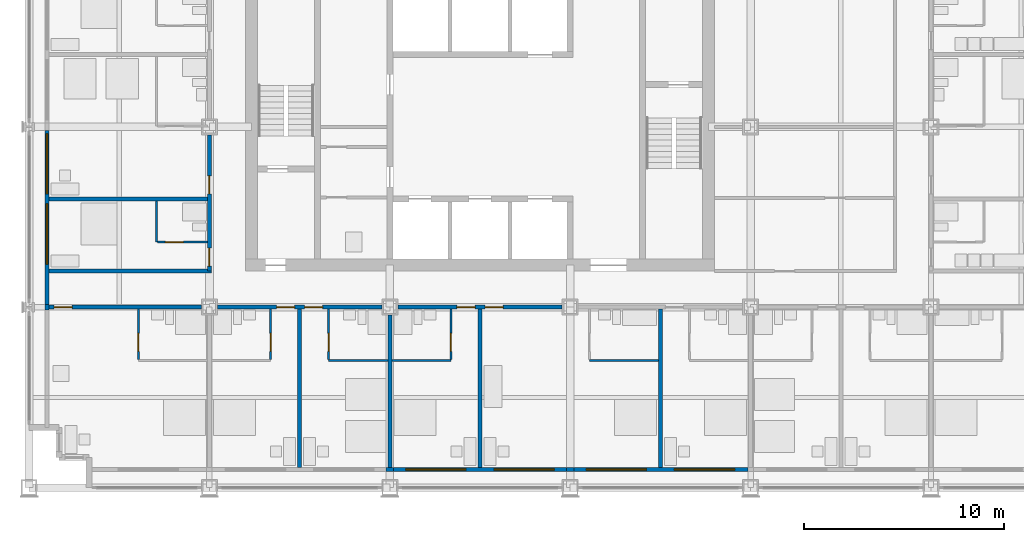
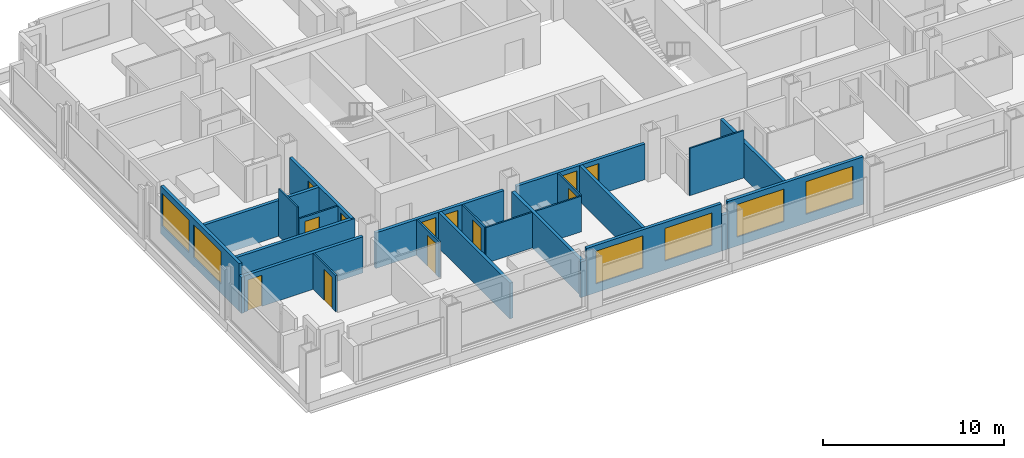
# One storey, part 10 of 18: 25 walls, 12 doors, 6 windows, 18 openings.
"""IFC4 building model written with IfcOpenShell, lengths in metres."""

from ifc_helpers import new_model, si_unit, direction, frame, frame_2d, origin, place, context, subcontext, project, spatial, rectangle, extrude, material, layer, layer_set, type_object, element, fill, save


model = new_model("IFC4")

# Units and contexts
model_context = context("Model", 3, precision=1e-05, world=origin(), true_north=direction((0.0, 1.0)))
body_context = subcontext(model_context, "Body", "Model", "MODEL_VIEW")
ifc_project = project(units=[si_unit("LENGTHUNIT", "METRE"), si_unit("AREAUNIT", "SQUARE_METRE"), si_unit("VOLUMEUNIT", "CUBIC_METRE"), si_unit("PLANEANGLEUNIT", "RADIAN"), si_unit("MASSUNIT", "GRAM", prefix="KILO")], contexts=[model_context])

# Site, building, storey
site_placement = place(None, origin())
site = spatial("IfcSite", under=ifc_project, at=site_placement, CompositionType="ELEMENT")
building_placement = place(site_placement, origin())
building = spatial("IfcBuilding", under=site, at=building_placement, Name="Loomwork Tower", CompositionType="ELEMENT")
storey_placement = place(building_placement, frame((0.0, 0.0, 82.39990234375)))
storey = spatial("IfcBuildingStorey", under=building, at=storey_placement, Name="L21", CompositionType="ELEMENT", Elevation=82.39990234375)

# Wall, opening, door
ifc_material_1 = material(Name="Gypsum board on steel studs, one-hour", Category="steel")
ifc_layer_1 = layer(ifc_material_1, 0.199951171875)
ifc_layer_set_1 = layer_set([ifc_layer_1], Name="Corridor wall 200")
wall_type_1 = type_object("IfcWallType", Name="Corridor wall 200", PredefinedType="PARTITIONING", material=ifc_layer_set_1)
wall_1_placement = place(storey_placement, frame((1.0, 9.0, 0.0), z_axis=(0.0, 0.0, 1.0), x_axis=(1.0, 0.0, 0.0)))
wall_1 = element("IfcWall", 1, at=wall_1_placement, inside=storey, type_object=wall_type_1, Name="South corridor wall 1", PredefinedType="PARTITIONING", context=body_context, shape_type="SweptSolid", body=[
    extrude(rectangle(XDim=7.60009765625, YDim=0.199951171875, at=frame_2d((3.800048828125, 0.0))), origin(), (0.0, 0.0, 1.0), 2.43798828125),
])
opening_1_placement = place(wall_1_placement, frame((0.25, 0.0, 0.0)))
opening_1 = element("IfcOpeningElement", 2, at=opening_1_placement, cuts=wall_1, Name="Opening D1", PredefinedType="OPENING", context=body_context, shape_type="SweptSolid", body=[
    extrude(rectangle(XDim=0.89990234375, YDim=2.10009765625, at=frame_2d((0.449951171875, 1.050048828125))), frame((0.0, 0.10986328125, 0.0), z_axis=(0.0, -1.0, 0.0), x_axis=(1.0, 0.0, 0.0)), (0.0, 0.0, 1.0), 0.219970703125),
])
ifc_material_2 = material(Name="Hollow metal door and frame")
door_type_1 = type_object("IfcDoorType", Name="Guest room entry door 900", OperationType="SINGLE_SWING_LEFT", PredefinedType="DOOR", material=ifc_material_2)
door_1_placement = place(opening_1_placement, frame((0.89990234375, 0.0, 0.0), z_axis=(0.0, 0.0, 1.0), x_axis=(-1.0, 0.0, 0.0)))
door_1 = element("IfcDoor", 3, at=door_1_placement, inside=storey, type_object=door_type_1, Name="Guest room entry door L21 1", OperationType="SINGLE_SWING_RIGHT", OverallHeight=2.10009765625, OverallWidth=0.89990234375, PredefinedType="DOOR", context=body_context, shape_type="SweptSolid", body=[
    extrude(rectangle(XDim=0.89990234375, YDim=2.10009765625, at=frame_2d((0.449951171875, 1.050048828125))), frame((0.0, 0.02490234375, 0.0), z_axis=(0.0, -1.0, 0.0), x_axis=(1.0, 0.0, 0.0)), (0.0, 0.0, 1.0), 0.050048828125),
])
fill(opening_1, door_1)

# Wall, openings, doors
wall_2_placement = place(storey_placement, frame((9.39990234375, 9.0, 0.0), z_axis=(0.0, 0.0, 1.0), x_axis=(1.0, 0.0, 0.0)))
wall_2 = element("IfcWall", 4, at=wall_2_placement, inside=storey, type_object=wall_type_1, Name="South corridor wall 2", PredefinedType="PARTITIONING", context=body_context, shape_type="SweptSolid", body=[
    extrude(rectangle(XDim=8.2001953125, YDim=0.199951171875, at=frame_2d((4.10009765625, 0.0))), origin(), (0.0, 0.0, 1.0), 2.405029296875),
])
opening_2_placement = place(wall_2_placement, frame((2.949951171875, 0.0, 0.0)))
opening_2 = element("IfcOpeningElement", 5, at=opening_2_placement, cuts=wall_2, Name="Opening D1", PredefinedType="OPENING", context=body_context, shape_type="SweptSolid", body=[
    extrude(rectangle(XDim=0.89990234375, YDim=2.10009765625, at=frame_2d((0.449951171875, 1.050048828125))), frame((0.0, 0.10986328125, 0.0), z_axis=(0.0, -1.0, 0.0), x_axis=(1.0, 0.0, 0.0)), (0.0, 0.0, 1.0), 0.219970703125),
])
opening_3_placement = place(wall_2_placement, frame((4.35009765625, 0.0, 0.0)))
opening_3 = element("IfcOpeningElement", 6, at=opening_3_placement, cuts=wall_2, Name="Opening D1", PredefinedType="OPENING", context=body_context, shape_type="SweptSolid", body=[
    extrude(rectangle(XDim=0.89990234375, YDim=2.10009765625, at=frame_2d((0.449951171875, 1.050048828125))), frame((0.0, 0.10986328125, 0.0), z_axis=(0.0, -1.0, 0.0), x_axis=(1.0, 0.0, 0.0)), (0.0, 0.0, 1.0), 0.219970703125),
])
door_2_placement = place(opening_2_placement, frame((0.89990234375, 0.0, 0.0), z_axis=(0.0, 0.0, 1.0), x_axis=(-1.0, 0.0, 0.0)))
door_2 = element("IfcDoor", 7, at=door_2_placement, inside=storey, type_object=door_type_1, Name="Guest room entry door L21 2", OperationType="SINGLE_SWING_LEFT", OverallHeight=2.10009765625, OverallWidth=0.89990234375, PredefinedType="DOOR", context=body_context, shape_type="SweptSolid", body=[
    extrude(rectangle(XDim=0.89990234375, YDim=2.10009765625, at=frame_2d((0.449951171875, 1.050048828125))), frame((0.0, 0.02490234375, 0.0), z_axis=(0.0, -1.0, 0.0), x_axis=(1.0, 0.0, 0.0)), (0.0, 0.0, 1.0), 0.050048828125),
])
fill(opening_2, door_2)
door_3_placement = place(opening_3_placement, frame((0.89990234375, 0.0, 0.0), z_axis=(0.0, 0.0, 1.0), x_axis=(-1.0, 0.0, 0.0)))
door_3 = element("IfcDoor", 8, at=door_3_placement, inside=storey, type_object=door_type_1, Name="Guest room entry door L21 3", OperationType="SINGLE_SWING_RIGHT", OverallHeight=2.10009765625, OverallWidth=0.89990234375, PredefinedType="DOOR", context=body_context, shape_type="SweptSolid", body=[
    extrude(rectangle(XDim=0.89990234375, YDim=2.10009765625, at=frame_2d((0.449951171875, 1.050048828125))), frame((0.0, 0.02490234375, 0.0), z_axis=(0.0, -1.0, 0.0), x_axis=(1.0, 0.0, 0.0)), (0.0, 0.0, 1.0), 0.050048828125),
])
fill(opening_3, door_3)

wall_3_placement = place(storey_placement, frame((18.39990234375, 9.0, 0.0), z_axis=(0.0, 0.0, 1.0), x_axis=(1.0, 0.0, 0.0)))
wall_3 = element("IfcWall", 9, at=wall_3_placement, inside=storey, type_object=wall_type_1, Name="South corridor wall 3", PredefinedType="PARTITIONING", context=body_context, shape_type="SweptSolid", body=[
    extrude(rectangle(XDim=8.2001953125, YDim=0.199951171875, at=frame_2d((4.10009765625, 0.0))), origin(), (0.0, 0.0, 1.0), 2.405029296875),
])
opening_4_placement = place(wall_3_placement, frame((2.949951171875, 0.0, 0.0)))
opening_4 = element("IfcOpeningElement", 10, at=opening_4_placement, cuts=wall_3, Name="Opening D1", PredefinedType="OPENING", context=body_context, shape_type="SweptSolid", body=[
    extrude(rectangle(XDim=0.89990234375, YDim=2.10009765625, at=frame_2d((0.449951171875, 1.050048828125))), frame((0.0, 0.10986328125, 0.0), z_axis=(0.0, -1.0, 0.0), x_axis=(1.0, 0.0, 0.0)), (0.0, 0.0, 1.0), 0.219970703125),
])
opening_5_placement = place(wall_3_placement, frame((4.35009765625, 0.0, 0.0)))
opening_5 = element("IfcOpeningElement", 11, at=opening_5_placement, cuts=wall_3, Name="Opening D1", PredefinedType="OPENING", context=body_context, shape_type="SweptSolid", body=[
    extrude(rectangle(XDim=0.89990234375, YDim=2.10009765625, at=frame_2d((0.449951171875, 1.050048828125))), frame((0.0, 0.10986328125, 0.0), z_axis=(0.0, -1.0, 0.0), x_axis=(1.0, 0.0, 0.0)), (0.0, 0.0, 1.0), 0.219970703125),
])
door_4_placement = place(opening_4_placement, frame((0.89990234375, 0.0, 0.0), z_axis=(0.0, 0.0, 1.0), x_axis=(-1.0, 0.0, 0.0)))
door_4 = element("IfcDoor", 12, at=door_4_placement, inside=storey, type_object=door_type_1, Name="Guest room entry door L21 4", OperationType="SINGLE_SWING_LEFT", OverallHeight=2.10009765625, OverallWidth=0.89990234375, PredefinedType="DOOR", context=body_context, shape_type="SweptSolid", body=[
    extrude(rectangle(XDim=0.89990234375, YDim=2.10009765625, at=frame_2d((0.449951171875, 1.050048828125))), frame((0.0, 0.02490234375, 0.0), z_axis=(0.0, -1.0, 0.0), x_axis=(1.0, 0.0, 0.0)), (0.0, 0.0, 1.0), 0.050048828125),
])
fill(opening_4, door_4)
door_5_placement = place(opening_5_placement, frame((0.89990234375, 0.0, 0.0), z_axis=(0.0, 0.0, 1.0), x_axis=(-1.0, 0.0, 0.0)))
door_5 = element("IfcDoor", 13, at=door_5_placement, inside=storey, type_object=door_type_1, Name="Guest room entry door L21 5", OperationType="SINGLE_SWING_RIGHT", OverallHeight=2.10009765625, OverallWidth=0.89990234375, PredefinedType="DOOR", context=body_context, shape_type="SweptSolid", body=[
    extrude(rectangle(XDim=0.89990234375, YDim=2.10009765625, at=frame_2d((0.449951171875, 1.050048828125))), frame((0.0, 0.02490234375, 0.0), z_axis=(0.0, -1.0, 0.0), x_axis=(1.0, 0.0, 0.0)), (0.0, 0.0, 1.0), 0.050048828125),
])
fill(opening_5, door_5)

wall_4_placement = place(storey_placement, frame((9.0, 10.800048828125, 0.0), z_axis=(0.0, 0.0, 1.0), x_axis=(0.0, 1.0, 0.0)))
wall_4 = element("IfcWall", 14, at=wall_4_placement, inside=storey, type_object=wall_type_1, Name="West corridor wall 1", PredefinedType="PARTITIONING", context=body_context, shape_type="SweptSolid", body=[
    extrude(rectangle(XDim=6.800048828125, YDim=0.199951171875, at=frame_2d((3.39990234375, 0.0))), origin(), (0.0, 0.0, 1.0), 2.405029296875),
])
opening_6_placement = place(wall_4_placement, frame((0.25, 0.0, 0.0)))
opening_6 = element("IfcOpeningElement", 15, at=opening_6_placement, cuts=wall_4, Name="Opening D1", PredefinedType="OPENING", context=body_context, shape_type="SweptSolid", body=[
    extrude(rectangle(XDim=0.89990234375, YDim=2.10009765625, at=frame_2d((0.449951171875, 1.050048828125))), frame((0.0, 0.10986328125, 0.0), z_axis=(0.0, -1.0, 0.0), x_axis=(1.0, 0.0, 0.0)), (0.0, 0.0, 1.0), 0.219970703125),
])
opening_7_placement = place(wall_4_placement, frame((3.85009765625, 0.0, 0.0)))
opening_7 = element("IfcOpeningElement", 16, at=opening_7_placement, cuts=wall_4, Name="Opening D1", PredefinedType="OPENING", context=body_context, shape_type="SweptSolid", body=[
    extrude(rectangle(XDim=0.89990234375, YDim=2.10009765625, at=frame_2d((0.449951171875, 1.050048828125))), frame((0.0, 0.10986328125, 0.0), z_axis=(0.0, -1.0, 0.0), x_axis=(1.0, 0.0, 0.0)), (0.0, 0.0, 1.0), 0.219970703125),
])
door_6_placement = place(opening_6_placement, origin())
door_6 = element("IfcDoor", 17, at=door_6_placement, inside=storey, type_object=door_type_1, Name="Guest room entry door L21 18", OperationType="SINGLE_SWING_LEFT", OverallHeight=2.10009765625, OverallWidth=0.89990234375, PredefinedType="DOOR", context=body_context, shape_type="SweptSolid", body=[
    extrude(rectangle(XDim=0.89990234375, YDim=2.10009765625, at=frame_2d((0.449951171875, 1.050048828125))), frame((0.0, 0.02490234375, 0.0), z_axis=(0.0, -1.0, 0.0), x_axis=(1.0, 0.0, 0.0)), (0.0, 0.0, 1.0), 0.050048828125),
])
fill(opening_6, door_6)
door_7_placement = place(opening_7_placement, origin())
door_7 = element("IfcDoor", 18, at=door_7_placement, inside=storey, type_object=door_type_1, Name="Guest room entry door L21 19", OperationType="SINGLE_SWING_LEFT", OverallHeight=2.10009765625, OverallWidth=0.89990234375, PredefinedType="DOOR", context=body_context, shape_type="SweptSolid", body=[
    extrude(rectangle(XDim=0.89990234375, YDim=2.10009765625, at=frame_2d((0.449951171875, 1.050048828125))), frame((0.0, 0.02490234375, 0.0), z_axis=(0.0, -1.0, 0.0), x_axis=(1.0, 0.0, 0.0)), (0.0, 0.0, 1.0), 0.050048828125),
])
fill(opening_7, door_7)

# Wall
wall_5_placement = place(storey_placement, frame((1.0, 10.800048828125, 0.0), z_axis=(0.0, 0.0, 1.0), x_axis=(1.0, 0.0, 0.0)))
element("IfcWall", 19, at=wall_5_placement, inside=storey, type_object=wall_type_1, Name="West band end wall S", PredefinedType="PARTITIONING", context=body_context, shape_type="SweptSolid", body=[
    extrude(rectangle(XDim=8.10009765625, YDim=0.199951171875, at=frame_2d((4.050048828125, 0.0))), origin(), (0.0, 0.0, 1.0), 2.404052734375),
])

# Wall, opening, door
ifc_material_3 = material(Name="Cement board on steel studs", Category="steel")
ifc_layer_2 = layer(ifc_material_3, 0.10009765625)
ifc_layer_set_2 = layer_set([ifc_layer_2], Name="En-suite partition 100")
wall_type_2 = type_object("IfcWallType", Name="En-suite partition 100", PredefinedType="PARTITIONING", material=ifc_layer_set_2)
wall_6_placement = place(storey_placement, frame((5.449951171875, 8.89990234375, 0.0), z_axis=(0.0, 0.0, 1.0), x_axis=(0.0, -1.0, 0.0)))
wall_6 = element("IfcWall", 20, at=wall_6_placement, inside=storey, type_object=wall_type_2, Name="En-suite side wall L21 room 1", PredefinedType="PARTITIONING", context=body_context, shape_type="SweptSolid", body=[
    extrude(rectangle(XDim=2.5, YDim=0.10009765625, at=frame_2d((1.25, 0.0))), origin(), (0.0, 0.0, 1.0), 2.43798828125),
])
opening_8_placement = place(wall_6_placement, frame((1.199951171875, 0.0, 0.0)))
opening_8 = element("IfcOpeningElement", 21, at=opening_8_placement, cuts=wall_6, Name="Opening D3", PredefinedType="OPENING", context=body_context, shape_type="SweptSolid", body=[
    extrude(rectangle(XDim=0.89990234375, YDim=2.10009765625, at=frame_2d((0.449951171875, 1.050048828125))), frame((0.0, 0.06005859375, 0.0), z_axis=(0.0, -1.0, 0.0), x_axis=(1.0, 0.0, 0.0)), (0.0, 0.0, 1.0), 0.1201171875),
])
ifc_material_4 = material(Name="Hollow metal door and frame")
door_type_2 = type_object("IfcDoorType", Name="Accessible en-suite door 900", OperationType="SLIDING_TO_LEFT", PredefinedType="DOOR", material=ifc_material_4)
door_8_placement = place(opening_8_placement, origin())
door_8 = element("IfcDoor", 22, at=door_8_placement, inside=storey, type_object=door_type_2, Name="Accessible en-suite door room 1", OperationType="SLIDING_TO_LEFT", OverallHeight=2.10009765625, OverallWidth=0.89990234375, PredefinedType="DOOR", context=body_context, shape_type="SweptSolid", body=[
    extrude(rectangle(XDim=0.89990234375, YDim=2.10009765625, at=frame_2d((0.449951171875, 1.050048828125))), frame((0.0, 0.02490234375, 0.0), z_axis=(0.0, -1.0, 0.0), x_axis=(1.0, 0.0, 0.0)), (0.0, 0.0, 1.0), 0.050048828125),
])
fill(opening_8, door_8)

wall_7_placement = place(storey_placement, frame((12.050048828125, 8.89990234375, 0.0), z_axis=(0.0, 0.0, 1.0), x_axis=(0.0, -1.0, 0.0)))
wall_7 = element("IfcWall", 23, at=wall_7_placement, inside=storey, type_object=wall_type_2, Name="En-suite side wall L21 room 2", PredefinedType="PARTITIONING", context=body_context, shape_type="SweptSolid", body=[
    extrude(rectangle(XDim=2.5, YDim=0.10009765625, at=frame_2d((1.25, 0.0))), origin(), (0.0, 0.0, 1.0), 2.404052734375),
])
opening_9_placement = place(wall_7_placement, frame((1.199951171875, 0.0, 0.0)))
opening_9 = element("IfcOpeningElement", 24, at=opening_9_placement, cuts=wall_7, Name="Opening D2", PredefinedType="OPENING", context=body_context, shape_type="SweptSolid", body=[
    extrude(rectangle(XDim=0.89990234375, YDim=2.10009765625, at=frame_2d((0.449951171875, 1.050048828125))), frame((0.0, 0.06005859375, 0.0), z_axis=(0.0, -1.0, 0.0), x_axis=(1.0, 0.0, 0.0)), (0.0, 0.0, 1.0), 0.1201171875),
])
ifc_material_5 = material(Name="Hollow metal door and frame")
door_type_3 = type_object("IfcDoorType", Name="En-suite door 900", OperationType="SINGLE_SWING_LEFT", PredefinedType="DOOR", material=ifc_material_5)
door_9_placement = place(opening_9_placement, frame((0.89990234375, 0.0, 0.0), z_axis=(0.0, 0.0, 1.0), x_axis=(-1.0, 0.0, 0.0)))
door_9 = element("IfcDoor", 25, at=door_9_placement, inside=storey, type_object=door_type_3, Name="En-suite door room 2", OperationType="SINGLE_SWING_LEFT", OverallHeight=2.10009765625, OverallWidth=0.89990234375, PredefinedType="DOOR", context=body_context, shape_type="SweptSolid", body=[
    extrude(rectangle(XDim=0.89990234375, YDim=2.10009765625, at=frame_2d((0.449951171875, 1.050048828125))), frame((0.0, 0.02490234375, 0.0), z_axis=(0.0, -1.0, 0.0), x_axis=(1.0, 0.0, 0.0)), (0.0, 0.0, 1.0), 0.050048828125),
])
fill(opening_9, door_9)

# Wall
wall_8_placement = place(storey_placement, frame((14.949951171875, 6.35009765625, 0.0), z_axis=(0.0, 0.0, 1.0), x_axis=(1.0, 0.0, 0.0)))
element("IfcWall", 26, at=wall_8_placement, inside=storey, type_object=wall_type_2, Name="En-suite wall L21 room 3", PredefinedType="PARTITIONING", context=body_context, shape_type="SweptSolid", body=[
    extrude(rectangle(XDim=2.949951171875, YDim=0.10009765625, at=frame_2d((1.47509765625, 0.0))), origin(), (0.0, 0.0, 1.0), 2.404052734375),
])

# Wall, opening, door
wall_9_placement = place(storey_placement, frame((14.949951171875, 8.89990234375, 0.0), z_axis=(0.0, 0.0, 1.0), x_axis=(0.0, -1.0, 0.0)))
wall_9 = element("IfcWall", 27, at=wall_9_placement, inside=storey, type_object=wall_type_2, Name="En-suite side wall L21 room 3", PredefinedType="PARTITIONING", context=body_context, shape_type="SweptSolid", body=[
    extrude(rectangle(XDim=2.5, YDim=0.10009765625, at=frame_2d((1.25, 0.0))), origin(), (0.0, 0.0, 1.0), 2.404052734375),
])
opening_10_placement = place(wall_9_placement, frame((1.199951171875, 0.0, 0.0)))
opening_10 = element("IfcOpeningElement", 28, at=opening_10_placement, cuts=wall_9, Name="Opening D2", PredefinedType="OPENING", context=body_context, shape_type="SweptSolid", body=[
    extrude(rectangle(XDim=0.89990234375, YDim=2.10009765625, at=frame_2d((0.449951171875, 1.050048828125))), frame((0.0, 0.06005859375, 0.0), z_axis=(0.0, -1.0, 0.0), x_axis=(1.0, 0.0, 0.0)), (0.0, 0.0, 1.0), 0.1201171875),
])
door_10_placement = place(opening_10_placement, origin())
door_10 = element("IfcDoor", 29, at=door_10_placement, inside=storey, type_object=door_type_3, Name="En-suite door room 3", OperationType="SINGLE_SWING_RIGHT", OverallHeight=2.10009765625, OverallWidth=0.89990234375, PredefinedType="DOOR", context=body_context, shape_type="SweptSolid", body=[
    extrude(rectangle(XDim=0.89990234375, YDim=2.10009765625, at=frame_2d((0.449951171875, 1.050048828125))), frame((0.0, 0.02490234375, 0.0), z_axis=(0.0, -1.0, 0.0), x_axis=(1.0, 0.0, 0.0)), (0.0, 0.0, 1.0), 0.050048828125),
])
fill(opening_10, door_10)

# Wall
wall_10_placement = place(storey_placement, frame((18.10009765625, 6.35009765625, 0.0), z_axis=(0.0, 0.0, 1.0), x_axis=(1.0, 0.0, 0.0)))
element("IfcWall", 30, at=wall_10_placement, inside=storey, type_object=wall_type_2, Name="En-suite wall L21 room 4", PredefinedType="PARTITIONING", context=body_context, shape_type="SweptSolid", body=[
    extrude(rectangle(XDim=2.949951171875, YDim=0.10009765625, at=frame_2d((1.47509765625, 0.0))), origin(), (0.0, 0.0, 1.0), 2.404052734375),
])

# Wall, opening, door
wall_11_placement = place(storey_placement, frame((21.050048828125, 8.89990234375, 0.0), z_axis=(0.0, 0.0, 1.0), x_axis=(0.0, -1.0, 0.0)))
wall_11 = element("IfcWall", 31, at=wall_11_placement, inside=storey, type_object=wall_type_2, Name="En-suite side wall L21 room 4", PredefinedType="PARTITIONING", context=body_context, shape_type="SweptSolid", body=[
    extrude(rectangle(XDim=2.5, YDim=0.10009765625, at=frame_2d((1.25, 0.0))), origin(), (0.0, 0.0, 1.0), 2.404052734375),
])
opening_11_placement = place(wall_11_placement, frame((1.199951171875, 0.0, 0.0)))
opening_11 = element("IfcOpeningElement", 32, at=opening_11_placement, cuts=wall_11, Name="Opening D2", PredefinedType="OPENING", context=body_context, shape_type="SweptSolid", body=[
    extrude(rectangle(XDim=0.89990234375, YDim=2.10009765625, at=frame_2d((0.449951171875, 1.050048828125))), frame((0.0, 0.06005859375, 0.0), z_axis=(0.0, -1.0, 0.0), x_axis=(1.0, 0.0, 0.0)), (0.0, 0.0, 1.0), 0.1201171875),
])
door_11_placement = place(opening_11_placement, frame((0.89990234375, 0.0, 0.0), z_axis=(0.0, 0.0, 1.0), x_axis=(-1.0, 0.0, 0.0)))
door_11 = element("IfcDoor", 33, at=door_11_placement, inside=storey, type_object=door_type_3, Name="En-suite door room 4", OperationType="SINGLE_SWING_LEFT", OverallHeight=2.10009765625, OverallWidth=0.89990234375, PredefinedType="DOOR", context=body_context, shape_type="SweptSolid", body=[
    extrude(rectangle(XDim=0.89990234375, YDim=2.10009765625, at=frame_2d((0.449951171875, 1.050048828125))), frame((0.0, 0.02490234375, 0.0), z_axis=(0.0, -1.0, 0.0), x_axis=(1.0, 0.0, 0.0)), (0.0, 0.0, 1.0), 0.050048828125),
])
fill(opening_11, door_11)

# Walls
wall_12_placement = place(storey_placement, frame((27.949951171875, 6.35009765625, 0.0), z_axis=(0.0, 0.0, 1.0), x_axis=(1.0, 0.0, 0.0)))
element("IfcWall", 34, at=wall_12_placement, inside=storey, type_object=wall_type_2, Name="En-suite wall L21 room 5", PredefinedType="PARTITIONING", context=body_context, shape_type="SweptSolid", body=[
    extrude(rectangle(XDim=3.449951171875, YDim=0.10009765625, at=frame_2d((1.72509765625, 0.0))), origin(), (0.0, 0.0, 1.0), 3.2001953125),
])
wall_13_placement = place(storey_placement, frame((6.35009765625, 12.25, 0.0), z_axis=(0.0, 0.0, 1.0), x_axis=(0.0, 1.0, 0.0)))
element("IfcWall", 35, at=wall_13_placement, inside=storey, type_object=wall_type_2, Name="En-suite wall L21 room 18", PredefinedType="PARTITIONING", context=body_context, shape_type="SweptSolid", body=[
    extrude(rectangle(XDim=2.050048828125, YDim=0.10009765625, at=frame_2d((1.02490234375, 0.0))), origin(), (0.0, 0.0, 1.0), 3.2001953125),
])

# Wall, opening, door
wall_14_placement = place(storey_placement, frame((8.89990234375, 12.25, 0.0), z_axis=(0.0, 0.0, 1.0), x_axis=(-1.0, 0.0, 0.0)))
wall_14 = element("IfcWall", 36, at=wall_14_placement, inside=storey, type_object=wall_type_2, Name="En-suite side wall L21 room 18", PredefinedType="PARTITIONING", context=body_context, shape_type="SweptSolid", body=[
    extrude(rectangle(XDim=2.5, YDim=0.10009765625, at=frame_2d((1.25, 0.0))), origin(), (0.0, 0.0, 1.0), 2.404052734375),
])
opening_12_placement = place(wall_14_placement, frame((1.199951171875, 0.0, 0.0)))
opening_12 = element("IfcOpeningElement", 37, at=opening_12_placement, cuts=wall_14, Name="Opening D2", PredefinedType="OPENING", context=body_context, shape_type="SweptSolid", body=[
    extrude(rectangle(XDim=0.89990234375, YDim=2.10009765625, at=frame_2d((0.449951171875, 1.050048828125))), frame((0.0, 0.06005859375, 0.0), z_axis=(0.0, -1.0, 0.0), x_axis=(1.0, 0.0, 0.0)), (0.0, 0.0, 1.0), 0.1201171875),
])
door_12_placement = place(opening_12_placement, frame((0.89990234375, 0.0, 0.0), z_axis=(0.0, 0.0, 1.0), x_axis=(-1.0, 0.0, 0.0)))
door_12 = element("IfcDoor", 38, at=door_12_placement, inside=storey, type_object=door_type_3, Name="En-suite door room 18", OperationType="SINGLE_SWING_LEFT", OverallHeight=2.10009765625, OverallWidth=0.89990234375, PredefinedType="DOOR", context=body_context, shape_type="SweptSolid", body=[
    extrude(rectangle(XDim=0.89990234375, YDim=2.10009765625, at=frame_2d((0.449951171875, 1.050048828125))), frame((0.0, 0.02490234375, 0.0), z_axis=(0.0, -1.0, 0.0), x_axis=(1.0, 0.0, 0.0)), (0.0, 0.0, 1.0), 0.050048828125),
])
fill(opening_12, door_12)

# Walls
ifc_material_6 = material(Name="Gypsum board on steel studs, acoustic", Category="steel")
ifc_layer_3 = layer(ifc_material_6, 0.199951171875)
ifc_layer_set_3 = layer_set([ifc_layer_3], Name="Guest room party wall 200")
wall_type_3 = type_object("IfcWallType", Name="Guest room party wall 200", PredefinedType="PARTITIONING", material=ifc_layer_set_3)
wall_15_placement = place(storey_placement, frame((13.5, 8.89990234375, 0.0), z_axis=(0.0, 0.0, 1.0), x_axis=(0.0, -1.0, 0.0)))
element("IfcWall", 39, at=wall_15_placement, inside=storey, type_object=wall_type_3, Name="Guest room party wall S 13.5", PredefinedType="PARTITIONING", context=body_context, shape_type="SweptSolid", body=[
    extrude(rectangle(XDim=7.89990234375, YDim=0.199951171875, at=frame_2d((3.949951171875, 0.0))), origin(), (0.0, 0.0, 1.0), 2.404052734375),
])
wall_16_placement = place(storey_placement, frame((18.0, 8.60009765625, 0.0), z_axis=(0.0, 0.0, 1.0), x_axis=(0.0, -1.0, 0.0)))
element("IfcWall", 40, at=wall_16_placement, inside=storey, type_object=wall_type_3, Name="Guest room party wall S 18", PredefinedType="PARTITIONING", context=body_context, shape_type="SweptSolid", body=[
    extrude(rectangle(XDim=7.60009765625, YDim=0.199951171875, at=frame_2d((3.800048828125, 0.0))), origin(), (0.0, 0.0, 1.0), 2.405029296875),
])
for number, where, z_axis, x_axis, name in (
    (41, (22.5, 8.89990234375, 0.0), (0.0, 0.0, 1.0), (0.0, -1.0, 0.0), "Guest room party wall S 22.5"),
    (42, (31.5, 8.89990234375, 0.0), (0.0, 0.0, 1.0), (0.0, -1.0, 0.0), "Guest room party wall S 31.5"),
    (43, (8.89990234375, 14.39990234375, 0.0), (0.0, 0.0, 1.0), (-1.0, 0.0, 0.0), "Guest room party wall W 14.4"),
):
    element("IfcWall", number, at=place(storey_placement, frame(where, z_axis=z_axis, x_axis=x_axis)), inside=storey, type_object=wall_type_3, Name=name, PredefinedType="PARTITIONING", context=body_context, shape_type="SweptSolid", body=[
        extrude(rectangle(XDim=7.89990234375, YDim=0.199951171875, at=frame_2d((3.949951171875, 0.0))), origin(), (0.0, 0.0, 1.0), 2.404052734375),
    ])
ifc_material_7 = material(Name="Insulated steel stud wall with gypsum lining", Category="steel")
ifc_layer_4 = layer(ifc_material_7, 0.199951171875)
ifc_layer_set_4 = layer_set([ifc_layer_4], Name="Inner skin wall 200")
wall_type_4 = type_object("IfcWallType", Name="Inner skin wall 200", PredefinedType="SOLIDWALL", material=ifc_layer_set_4)
wall_17_placement = place(storey_placement, frame((17.80615234375, 0.89990234375, 0.0), z_axis=(0.0, 0.0, 1.0), x_axis=(1.0, 0.0, 0.0)))
element("IfcWall", 44, at=wall_17_placement, inside=storey, type_object=wall_type_4, Name="Inner skin wall S bay 4", PredefinedType="SOLIDWALL", context=body_context, shape_type="SweptSolid", body=[
    extrude(rectangle(XDim=0.3876953125, YDim=0.199951171875, at=frame_2d((0.19384765625, 0.0))), origin(), (0.0, 0.0, 1.0), 2.404052734375),
])

# Wall, openings, windows
wall_18_placement = place(storey_placement, frame((18.19384765625, 0.89990234375, 0.0), z_axis=(0.0, 0.0, 1.0), x_axis=(1.0, 0.0, 0.0)))
wall_18 = element("IfcWall", 45, at=wall_18_placement, inside=storey, type_object=wall_type_4, Name="Inner skin wall S bay 5", PredefinedType="SOLIDWALL", context=body_context, shape_type="SweptSolid", body=[
    extrude(rectangle(XDim=8.6123046875, YDim=0.199951171875, at=frame_2d((4.30615234375, 0.0))), origin(), (0.0, 0.0, 1.0), 3.2001953125),
])
opening_13_placement = place(wall_18_placement, frame((0.606201171875, 0.0, 0.60009765625)))
opening_13 = element("IfcOpeningElement", 46, at=opening_13_placement, cuts=wall_18, Name="Opening CH1", PredefinedType="OPENING", context=body_context, shape_type="SweptSolid", body=[
    extrude(rectangle(XDim=3.0, YDim=2.199951171875, at=frame_2d((1.5, 1.10009765625))), frame((0.0, 0.10986328125, 0.0), z_axis=(0.0, -1.0, 0.0), x_axis=(1.0, 0.0, 0.0)), (0.0, 0.0, 1.0), 0.219970703125),
])
opening_14_placement = place(wall_18_placement, frame((5.006103515625, 0.0, 0.60009765625)))
opening_14 = element("IfcOpeningElement", 47, at=opening_14_placement, cuts=wall_18, Name="Opening CH1", PredefinedType="OPENING", context=body_context, shape_type="SweptSolid", body=[
    extrude(rectangle(XDim=3.0, YDim=2.199951171875, at=frame_2d((1.5, 1.10009765625))), frame((0.0, 0.10986328125, 0.0), z_axis=(0.0, -1.0, 0.0), x_axis=(1.0, 0.0, 0.0)), (0.0, 0.0, 1.0), 0.219970703125),
])
ifc_material_8 = material(Name="Aluminium frame with clear insulated glass", Category="aluminium")
window_type = type_object("IfcWindowType", Name="Chicago window 3000", PartitioningType="TRIPLE_PANEL_VERTICAL", PredefinedType="WINDOW", material=ifc_material_8)
window_1_placement = place(opening_13_placement, origin())
window_1 = element("IfcWindow", 48, at=window_1_placement, inside=storey, type_object=window_type, Name="Chicago window L21 bay 3", OverallHeight=2.199951171875, OverallWidth=3.0, PartitioningType="TRIPLE_PANEL_VERTICAL", PredefinedType="WINDOW", context=body_context, shape_type="SweptSolid", body=[
    extrude(rectangle(XDim=3.0, YDim=2.199951171875, at=frame_2d((1.5, 1.10009765625))), frame((0.0, 0.030029296875, 0.0), z_axis=(0.0, -1.0, 0.0), x_axis=(1.0, 0.0, 0.0)), (0.0, 0.0, 1.0), 0.06005859375),
])
fill(opening_13, window_1)
window_2_placement = place(opening_14_placement, origin())
window_2 = element("IfcWindow", 49, at=window_2_placement, inside=storey, type_object=window_type, Name="Chicago window L21 bay 3", OverallHeight=2.199951171875, OverallWidth=3.0, PartitioningType="TRIPLE_PANEL_VERTICAL", PredefinedType="WINDOW", context=body_context, shape_type="SweptSolid", body=[
    extrude(rectangle(XDim=3.0, YDim=2.199951171875, at=frame_2d((1.5, 1.10009765625))), frame((0.0, 0.030029296875, 0.0), z_axis=(0.0, -1.0, 0.0), x_axis=(1.0, 0.0, 0.0)), (0.0, 0.0, 1.0), 0.06005859375),
])
fill(opening_14, window_2)

# Wall
wall_19_placement = place(storey_placement, frame((26.80615234375, 0.89990234375, 0.0), z_axis=(0.0, 0.0, 1.0), x_axis=(1.0, 0.0, 0.0)))
element("IfcWall", 50, at=wall_19_placement, inside=storey, type_object=wall_type_4, Name="Inner skin wall S bay 6", PredefinedType="SOLIDWALL", context=body_context, shape_type="SweptSolid", body=[
    extrude(rectangle(XDim=0.3876953125, YDim=0.199951171875, at=frame_2d((0.19384765625, 0.0))), origin(), (0.0, 0.0, 1.0), 2.404052734375),
])

# Wall, openings, windows
wall_20_placement = place(storey_placement, frame((27.19384765625, 0.89990234375, 0.0), z_axis=(0.0, 0.0, 1.0), x_axis=(1.0, 0.0, 0.0)))
wall_20 = element("IfcWall", 51, at=wall_20_placement, inside=storey, type_object=wall_type_4, Name="Inner skin wall S bay 7", PredefinedType="SOLIDWALL", context=body_context, shape_type="SweptSolid", body=[
    extrude(rectangle(XDim=8.670654296875, YDim=0.199951171875, at=frame_2d((4.33544921875, 0.0))), origin(), (0.0, 0.0, 1.0), 3.2001953125),
])
opening_15_placement = place(wall_20_placement, frame((0.606201171875, 0.0, 0.60009765625)))
opening_15 = element("IfcOpeningElement", 52, at=opening_15_placement, cuts=wall_20, Name="Opening CH1", PredefinedType="OPENING", context=body_context, shape_type="SweptSolid", body=[
    extrude(rectangle(XDim=3.0, YDim=2.199951171875, at=frame_2d((1.5, 1.10009765625))), frame((0.0, 0.10986328125, 0.0), z_axis=(0.0, -1.0, 0.0), x_axis=(1.0, 0.0, 0.0)), (0.0, 0.0, 1.0), 0.219970703125),
])
opening_16_placement = place(wall_20_placement, frame((5.006103515625, 0.0, 0.60009765625)))
opening_16 = element("IfcOpeningElement", 53, at=opening_16_placement, cuts=wall_20, Name="Opening CH1", PredefinedType="OPENING", context=body_context, shape_type="SweptSolid", body=[
    extrude(rectangle(XDim=3.0, YDim=2.199951171875, at=frame_2d((1.5, 1.10009765625))), frame((0.0, 0.10986328125, 0.0), z_axis=(0.0, -1.0, 0.0), x_axis=(1.0, 0.0, 0.0)), (0.0, 0.0, 1.0), 0.219970703125),
])
window_3_placement = place(opening_15_placement, origin())
window_3 = element("IfcWindow", 54, at=window_3_placement, inside=storey, type_object=window_type, Name="Chicago window L21 bay 4", OverallHeight=2.199951171875, OverallWidth=3.0, PartitioningType="TRIPLE_PANEL_VERTICAL", PredefinedType="WINDOW", context=body_context, shape_type="SweptSolid", body=[
    extrude(rectangle(XDim=3.0, YDim=2.199951171875, at=frame_2d((1.5, 1.10009765625))), frame((0.0, 0.030029296875, 0.0), z_axis=(0.0, -1.0, 0.0), x_axis=(1.0, 0.0, 0.0)), (0.0, 0.0, 1.0), 0.06005859375),
])
fill(opening_15, window_3)
window_4_placement = place(opening_16_placement, origin())
window_4 = element("IfcWindow", 55, at=window_4_placement, inside=storey, type_object=window_type, Name="Chicago window L21 bay 4", OverallHeight=2.199951171875, OverallWidth=3.0, PartitioningType="TRIPLE_PANEL_VERTICAL", PredefinedType="WINDOW", context=body_context, shape_type="SweptSolid", body=[
    extrude(rectangle(XDim=3.0, YDim=2.199951171875, at=frame_2d((1.5, 1.10009765625))), frame((0.0, 0.030029296875, 0.0), z_axis=(0.0, -1.0, 0.0), x_axis=(1.0, 0.0, 0.0)), (0.0, 0.0, 1.0), 0.06005859375),
])
fill(opening_16, window_4)

# Wall
wall_21_placement = place(storey_placement, frame((0.89990234375, 8.86474609375, 0.0), z_axis=(0.0, 0.0, 1.0), x_axis=(0.0, 1.0, 0.0)))
element("IfcWall", 56, at=wall_21_placement, inside=storey, type_object=wall_type_4, Name="Inner skin wall W bay 4", PredefinedType="SOLIDWALL", context=body_context, shape_type="SweptSolid", body=[
    extrude(rectangle(XDim=0.2705078125, YDim=0.199951171875, at=frame_2d((0.13525390625, 0.0))), origin(), (0.0, 0.0, 1.0), 2.43798828125),
])

# Wall, openings, windows
wall_22_placement = place(storey_placement, frame((0.89990234375, 9.13525390625, 0.0), z_axis=(0.0, 0.0, 1.0), x_axis=(0.0, 1.0, 0.0)))
wall_22 = element("IfcWall", 57, at=wall_22_placement, inside=storey, type_object=wall_type_4, Name="Inner skin wall W bay 5", PredefinedType="SOLIDWALL", context=body_context, shape_type="SweptSolid", body=[
    extrude(rectangle(XDim=8.6708984375, YDim=0.199951171875, at=frame_2d((4.33544921875, 0.0))), origin(), (0.0, 0.0, 1.0), 3.2001953125),
])
opening_17_placement = place(wall_22_placement, frame((2.0146484375, 0.0, 0.60009765625)))
opening_17 = element("IfcOpeningElement", 58, at=opening_17_placement, cuts=wall_22, Name="Opening CH1", PredefinedType="OPENING", context=body_context, shape_type="SweptSolid", body=[
    extrude(rectangle(XDim=3.0, YDim=2.199951171875, at=frame_2d((1.5, 1.10009765625))), frame((0.0, 0.10986328125, 0.0), z_axis=(0.0, -1.0, 0.0), x_axis=(1.0, 0.0, 0.0)), (0.0, 0.0, 1.0), 0.219970703125),
])
opening_18_placement = place(wall_22_placement, frame((5.5146484375, 0.0, 0.60009765625)))
opening_18 = element("IfcOpeningElement", 59, at=opening_18_placement, cuts=wall_22, Name="Opening CH1", PredefinedType="OPENING", context=body_context, shape_type="SweptSolid", body=[
    extrude(rectangle(XDim=3.0, YDim=2.199951171875, at=frame_2d((1.5, 1.10009765625))), frame((0.0, 0.10986328125, 0.0), z_axis=(0.0, -1.0, 0.0), x_axis=(1.0, 0.0, 0.0)), (0.0, 0.0, 1.0), 0.219970703125),
])
window_5_placement = place(opening_17_placement, origin())
window_5 = element("IfcWindow", 60, at=window_5_placement, inside=storey, type_object=window_type, Name="Chicago window L21 bay 13", OverallHeight=2.199951171875, OverallWidth=3.0, PartitioningType="TRIPLE_PANEL_VERTICAL", PredefinedType="WINDOW", context=body_context, shape_type="SweptSolid", body=[
    extrude(rectangle(XDim=3.0, YDim=2.199951171875, at=frame_2d((1.5, 1.10009765625))), frame((0.0, 0.030029296875, 0.0), z_axis=(0.0, -1.0, 0.0), x_axis=(1.0, 0.0, 0.0)), (0.0, 0.0, 1.0), 0.06005859375),
])
fill(opening_17, window_5)
window_6_placement = place(opening_18_placement, origin())
window_6 = element("IfcWindow", 61, at=window_6_placement, inside=storey, type_object=window_type, Name="Chicago window L21 bay 13", OverallHeight=2.199951171875, OverallWidth=3.0, PartitioningType="TRIPLE_PANEL_VERTICAL", PredefinedType="WINDOW", context=body_context, shape_type="SweptSolid", body=[
    extrude(rectangle(XDim=3.0, YDim=2.199951171875, at=frame_2d((1.5, 1.10009765625))), frame((0.0, 0.030029296875, 0.0), z_axis=(0.0, -1.0, 0.0), x_axis=(1.0, 0.0, 0.0)), (0.0, 0.0, 1.0), 0.06005859375),
])
fill(opening_18, window_6)

save(model, "model.ifc")
